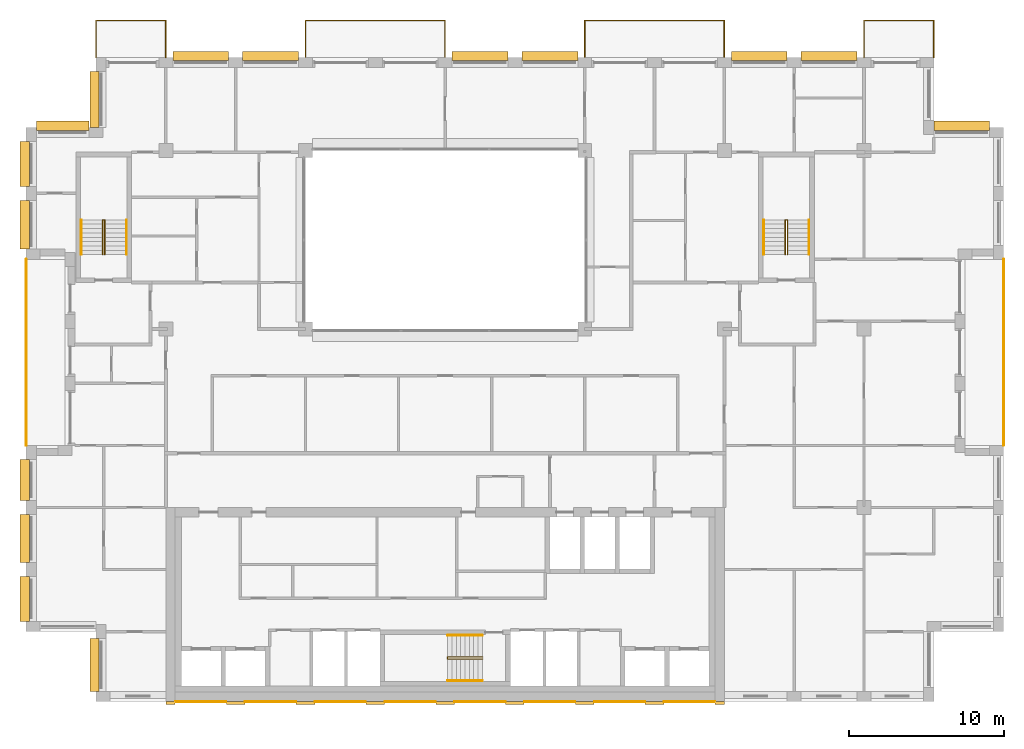
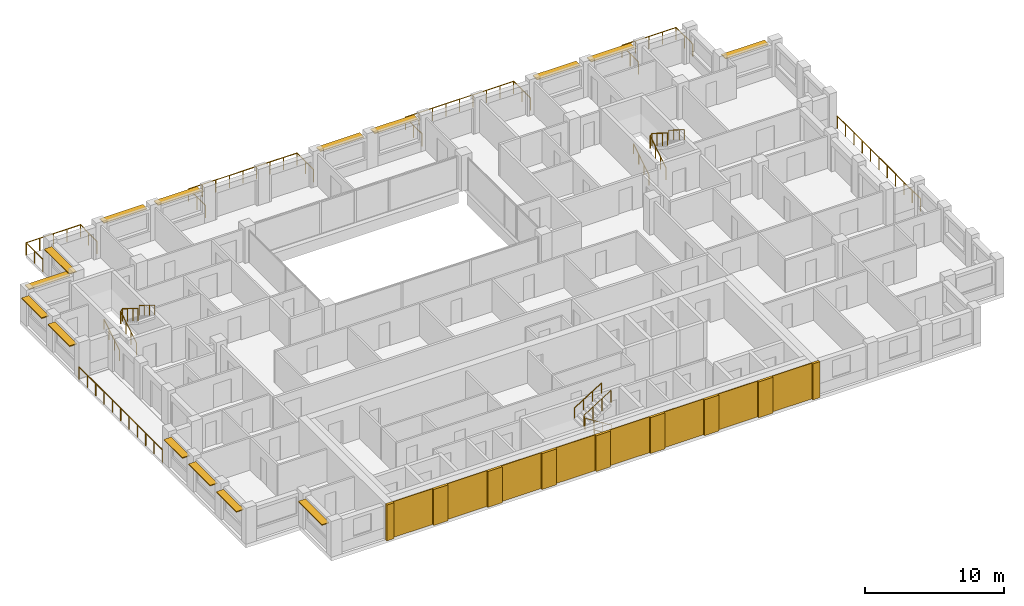
# One storey, part 16 of 16: 17 coverings, 15 railings, 15 shading devices.
"""IFC4 building model written with IfcOpenShell, lengths in metres."""

from ifc_helpers import new_model, si_unit, direction, frame, origin, origin_2d, place, context, subcontext, project, spatial, rectangle, circle, extrude, material, layer, layer_set, type_object, element, save


model = new_model("IFC4")

# Units and contexts
model_context = context("Model", 3, precision=1e-05, world=origin(), true_north=direction((0.0, 1.0)))
body_context = subcontext(model_context, "Body", "Model", "MODEL_VIEW")
ifc_project = project(units=[si_unit("LENGTHUNIT", "METRE"), si_unit("AREAUNIT", "SQUARE_METRE"), si_unit("VOLUMEUNIT", "CUBIC_METRE"), si_unit("PLANEANGLEUNIT", "RADIAN"), si_unit("MASSUNIT", "GRAM", prefix="KILO")], contexts=[model_context])

# Site, building, storey
site_placement = place(None, origin())
site = spatial("IfcSite", under=ifc_project, at=site_placement, CompositionType="ELEMENT")
building_placement = place(site_placement, origin())
building = spatial("IfcBuilding", under=site, at=building_placement, Name="Brigalow Station Residences", CompositionType="ELEMENT")
storey_placement = place(building_placement, frame((0.0, 0.0, 201.14990234375)))
storey = spatial("IfcBuildingStorey", under=building, at=storey_placement, Name="L57", CompositionType="ELEMENT", Elevation=201.14990234375)

# Railings
ifc_material_1 = material(Name="Stainless steel balustrade with laminated glass infill", Category="steel")
railing_type_1 = type_object("IfcRailingType", Name="BALCONY GUARD 1100", PredefinedType="GUARDRAIL", material=ifc_material_1)
railing_1_placement = place(storey_placement, frame((72.0, 16.5, -0.039794921875)))
element("IfcRailing", 1, at=railing_1_placement, inside=storey, type_object=railing_type_1, Name="L57/balcony-guard/1", PredefinedType="GUARDRAIL", context=body_context, shape_type="SweptSolid", body=[
    extrude(circle(Radius=0.02392578125, at=origin_2d()), frame((0.0, 0.0, 1.076171875), z_axis=(0.0, 1.0, 0.0), x_axis=(-1.0, 0.0, 0.0)), (0.0, 0.0, 1.0), 12.0),
    extrude(circle(Radius=0.02099609375, at=origin_2d()), origin(), (0.0, 0.0, 1.0), 1.052001953125),
    extrude(circle(Radius=0.02099609375, at=origin_2d()), frame((0.0, 1.199951171875, 0.0)), (0.0, 0.0, 1.0), 1.052001953125),
    extrude(circle(Radius=0.02099609375, at=origin_2d()), frame((0.0, 2.39990234375, 0.0)), (0.0, 0.0, 1.0), 1.052001953125),
    extrude(circle(Radius=0.02099609375, at=origin_2d()), frame((0.0, 3.60009765625, 0.0)), (0.0, 0.0, 1.0), 1.052001953125),
    extrude(circle(Radius=0.02099609375, at=origin_2d()), frame((0.0, 4.800048828125, 0.0)), (0.0, 0.0, 1.0), 1.052001953125),
    extrude(circle(Radius=0.02099609375, at=origin_2d()), frame((0.0, 6.0, 0.0)), (0.0, 0.0, 1.0), 1.052001953125),
    extrude(circle(Radius=0.02099609375, at=origin_2d()), frame((0.0, 7.199951171875, 0.0)), (0.0, 0.0, 1.0), 1.052001953125),
    extrude(circle(Radius=0.02099609375, at=origin_2d()), frame((0.0, 8.39990234375, 0.0)), (0.0, 0.0, 1.0), 1.052001953125),
    extrude(circle(Radius=0.02099609375, at=origin_2d()), frame((0.0, 9.60009765625, 0.0)), (0.0, 0.0, 1.0), 1.052001953125),
    extrude(circle(Radius=0.02099609375, at=origin_2d()), frame((0.0, 10.800048828125, 0.0)), (0.0, 0.0, 1.0), 1.052001953125),
    extrude(circle(Radius=0.02099609375, at=origin_2d()), frame((0.0, 12.0, 0.0)), (0.0, 0.0, 1.0), 1.052001953125),
])
railing_2_placement = place(storey_placement, frame((67.5, 41.5, -0.039794921875)))
element("IfcRailing", 2, at=railing_2_placement, inside=storey, type_object=railing_type_1, Name="L57/balcony-guard/2", PredefinedType="GUARDRAIL", context=body_context, shape_type="SweptSolid", body=[
    extrude(circle(Radius=0.02392578125, at=origin_2d()), frame((0.0, 0.0, 1.076171875), z_axis=(0.0, 1.0, 0.0), x_axis=(-1.0, 0.0, 0.0)), (0.0, 0.0, 1.0), 2.39990234375),
    extrude(circle(Radius=0.02392578125, at=origin_2d()), frame((0.0, 2.39990234375, 1.076171875), z_axis=(-1.0, 0.0, 0.0), x_axis=(0.0, -1.0, 0.0)), (0.0, 0.0, 1.0), 4.5),
    extrude(circle(Radius=0.02392578125, at=origin_2d()), frame((-4.5, 2.39990234375, 1.076171875), z_axis=(0.0, -1.0, 0.0), x_axis=(1.0, 0.0, 0.0)), (0.0, 0.0, 1.0), 2.39990234375),
    extrude(circle(Radius=0.02099609375, at=origin_2d()), origin(), (0.0, 0.0, 1.0), 1.052001953125),
    extrude(circle(Radius=0.02099609375, at=origin_2d()), frame((0.0, 1.199951171875, 0.0)), (0.0, 0.0, 1.0), 1.052001953125),
    extrude(circle(Radius=0.02099609375, at=origin_2d()), frame((0.0, 2.39990234375, 0.0)), (0.0, 0.0, 1.0), 1.052001953125),
    extrude(circle(Radius=0.02099609375, at=origin_2d()), frame((-1.125, 2.39990234375, 0.0)), (0.0, 0.0, 1.0), 1.052001953125),
    extrude(circle(Radius=0.02099609375, at=origin_2d()), frame((-2.25, 2.39990234375, 0.0)), (0.0, 0.0, 1.0), 1.052001953125),
    extrude(circle(Radius=0.02099609375, at=origin_2d()), frame((-3.375, 2.39990234375, 0.0)), (0.0, 0.0, 1.0), 1.052001953125),
    extrude(circle(Radius=0.02099609375, at=origin_2d()), frame((-4.5, 2.39990234375, 0.0)), (0.0, 0.0, 1.0), 1.052001953125),
    extrude(circle(Radius=0.02099609375, at=origin_2d()), frame((-4.5, 1.199951171875, 0.0)), (0.0, 0.0, 1.0), 1.052001953125),
    extrude(circle(Radius=0.02099609375, at=origin_2d()), frame((-4.5, 0.0, 0.0)), (0.0, 0.0, 1.0), 1.052001953125),
])
railing_3_placement = place(storey_placement, frame((54.0, 41.5, -0.039794921875)))
element("IfcRailing", 3, at=railing_3_placement, inside=storey, type_object=railing_type_1, Name="L57/balcony-guard/3", PredefinedType="GUARDRAIL", context=body_context, shape_type="SweptSolid", body=[
    extrude(circle(Radius=0.02392578125, at=origin_2d()), frame((0.0, 0.0, 1.076171875), z_axis=(0.0, 1.0, 0.0), x_axis=(-1.0, 0.0, 0.0)), (0.0, 0.0, 1.0), 2.39990234375),
    extrude(circle(Radius=0.02392578125, at=origin_2d()), frame((0.0, 2.39990234375, 1.076171875), z_axis=(-1.0, 0.0, 0.0), x_axis=(0.0, -1.0, 0.0)), (0.0, 0.0, 1.0), 9.0),
    extrude(circle(Radius=0.02392578125, at=origin_2d()), frame((-9.0, 2.39990234375, 1.076171875), z_axis=(0.0, -1.0, 0.0), x_axis=(1.0, 0.0, 0.0)), (0.0, 0.0, 1.0), 2.39990234375),
    extrude(circle(Radius=0.02099609375, at=origin_2d()), origin(), (0.0, 0.0, 1.0), 1.052001953125),
    extrude(circle(Radius=0.02099609375, at=origin_2d()), frame((0.0, 1.199951171875, 0.0)), (0.0, 0.0, 1.0), 1.052001953125),
    extrude(circle(Radius=0.02099609375, at=origin_2d()), frame((0.0, 2.39990234375, 0.0)), (0.0, 0.0, 1.0), 1.052001953125),
    extrude(circle(Radius=0.02099609375, at=origin_2d()), frame((-1.125, 2.39990234375, 0.0)), (0.0, 0.0, 1.0), 1.052001953125),
    extrude(circle(Radius=0.02099609375, at=origin_2d()), frame((-2.25, 2.39990234375, 0.0)), (0.0, 0.0, 1.0), 1.052001953125),
    extrude(circle(Radius=0.02099609375, at=origin_2d()), frame((-3.375, 2.39990234375, 0.0)), (0.0, 0.0, 1.0), 1.052001953125),
    extrude(circle(Radius=0.02099609375, at=origin_2d()), frame((-4.5, 2.39990234375, 0.0)), (0.0, 0.0, 1.0), 1.052001953125),
    extrude(circle(Radius=0.02099609375, at=origin_2d()), frame((-5.625, 2.39990234375, 0.0)), (0.0, 0.0, 1.0), 1.052001953125),
    extrude(circle(Radius=0.02099609375, at=origin_2d()), frame((-6.75, 2.39990234375, 0.0)), (0.0, 0.0, 1.0), 1.052001953125),
    extrude(circle(Radius=0.02099609375, at=origin_2d()), frame((-7.875, 2.39990234375, 0.0)), (0.0, 0.0, 1.0), 1.052001953125),
    extrude(circle(Radius=0.02099609375, at=origin_2d()), frame((-9.0, 2.39990234375, 0.0)), (0.0, 0.0, 1.0), 1.052001953125),
    extrude(circle(Radius=0.02099609375, at=origin_2d()), frame((-9.0, 1.199951171875, 0.0)), (0.0, 0.0, 1.0), 1.052001953125),
    extrude(circle(Radius=0.02099609375, at=origin_2d()), frame((-9.0, 0.0, 0.0)), (0.0, 0.0, 1.0), 1.052001953125),
])
railing_4_placement = place(storey_placement, frame((36.0, 41.5, -0.039794921875)))
element("IfcRailing", 4, at=railing_4_placement, inside=storey, type_object=railing_type_1, Name="L57/balcony-guard/4", PredefinedType="GUARDRAIL", context=body_context, shape_type="SweptSolid", body=[
    extrude(circle(Radius=0.02392578125, at=origin_2d()), frame((0.0, 0.0, 1.076171875), z_axis=(0.0, 1.0, 0.0), x_axis=(-1.0, 0.0, 0.0)), (0.0, 0.0, 1.0), 2.39990234375),
    extrude(circle(Radius=0.02392578125, at=origin_2d()), frame((0.0, 2.39990234375, 1.076171875), z_axis=(-1.0, 0.0, 0.0), x_axis=(0.0, -1.0, 0.0)), (0.0, 0.0, 1.0), 9.0),
    extrude(circle(Radius=0.02392578125, at=origin_2d()), frame((-9.0, 2.39990234375, 1.076171875), z_axis=(0.0, -1.0, 0.0), x_axis=(1.0, 0.0, 0.0)), (0.0, 0.0, 1.0), 2.39990234375),
    extrude(circle(Radius=0.02099609375, at=origin_2d()), origin(), (0.0, 0.0, 1.0), 1.052001953125),
    extrude(circle(Radius=0.02099609375, at=origin_2d()), frame((0.0, 1.199951171875, 0.0)), (0.0, 0.0, 1.0), 1.052001953125),
    extrude(circle(Radius=0.02099609375, at=origin_2d()), frame((0.0, 2.39990234375, 0.0)), (0.0, 0.0, 1.0), 1.052001953125),
    extrude(circle(Radius=0.02099609375, at=origin_2d()), frame((-1.125, 2.39990234375, 0.0)), (0.0, 0.0, 1.0), 1.052001953125),
    extrude(circle(Radius=0.02099609375, at=origin_2d()), frame((-2.25, 2.39990234375, 0.0)), (0.0, 0.0, 1.0), 1.052001953125),
    extrude(circle(Radius=0.02099609375, at=origin_2d()), frame((-3.375, 2.39990234375, 0.0)), (0.0, 0.0, 1.0), 1.052001953125),
    extrude(circle(Radius=0.02099609375, at=origin_2d()), frame((-4.5, 2.39990234375, 0.0)), (0.0, 0.0, 1.0), 1.052001953125),
    extrude(circle(Radius=0.02099609375, at=origin_2d()), frame((-5.625, 2.39990234375, 0.0)), (0.0, 0.0, 1.0), 1.052001953125),
    extrude(circle(Radius=0.02099609375, at=origin_2d()), frame((-6.75, 2.39990234375, 0.0)), (0.0, 0.0, 1.0), 1.052001953125),
    extrude(circle(Radius=0.02099609375, at=origin_2d()), frame((-7.875, 2.39990234375, 0.0)), (0.0, 0.0, 1.0), 1.052001953125),
    extrude(circle(Radius=0.02099609375, at=origin_2d()), frame((-9.0, 2.39990234375, 0.0)), (0.0, 0.0, 1.0), 1.052001953125),
    extrude(circle(Radius=0.02099609375, at=origin_2d()), frame((-9.0, 1.199951171875, 0.0)), (0.0, 0.0, 1.0), 1.052001953125),
    extrude(circle(Radius=0.02099609375, at=origin_2d()), frame((-9.0, 0.0, 0.0)), (0.0, 0.0, 1.0), 1.052001953125),
])
railing_5_placement = place(storey_placement, frame((18.0, 41.5, -0.039794921875)))
element("IfcRailing", 5, at=railing_5_placement, inside=storey, type_object=railing_type_1, Name="L57/balcony-guard/5", PredefinedType="GUARDRAIL", context=body_context, shape_type="SweptSolid", body=[
    extrude(circle(Radius=0.02392578125, at=origin_2d()), frame((0.0, 0.0, 1.076171875), z_axis=(0.0, 1.0, 0.0), x_axis=(-1.0, 0.0, 0.0)), (0.0, 0.0, 1.0), 2.39990234375),
    extrude(circle(Radius=0.02392578125, at=origin_2d()), frame((0.0, 2.39990234375, 1.076171875), z_axis=(-1.0, 0.0, 0.0), x_axis=(0.0, -1.0, 0.0)), (0.0, 0.0, 1.0), 4.5),
    extrude(circle(Radius=0.02392578125, at=origin_2d()), frame((-4.5, 2.39990234375, 1.076171875), z_axis=(0.0, -1.0, 0.0), x_axis=(1.0, 0.0, 0.0)), (0.0, 0.0, 1.0), 2.39990234375),
    extrude(circle(Radius=0.02099609375, at=origin_2d()), origin(), (0.0, 0.0, 1.0), 1.052001953125),
    extrude(circle(Radius=0.02099609375, at=origin_2d()), frame((0.0, 1.199951171875, 0.0)), (0.0, 0.0, 1.0), 1.052001953125),
    extrude(circle(Radius=0.02099609375, at=origin_2d()), frame((0.0, 2.39990234375, 0.0)), (0.0, 0.0, 1.0), 1.052001953125),
    extrude(circle(Radius=0.02099609375, at=origin_2d()), frame((-1.125, 2.39990234375, 0.0)), (0.0, 0.0, 1.0), 1.052001953125),
    extrude(circle(Radius=0.02099609375, at=origin_2d()), frame((-2.25, 2.39990234375, 0.0)), (0.0, 0.0, 1.0), 1.052001953125),
    extrude(circle(Radius=0.02099609375, at=origin_2d()), frame((-3.375, 2.39990234375, 0.0)), (0.0, 0.0, 1.0), 1.052001953125),
    extrude(circle(Radius=0.02099609375, at=origin_2d()), frame((-4.5, 2.39990234375, 0.0)), (0.0, 0.0, 1.0), 1.052001953125),
    extrude(circle(Radius=0.02099609375, at=origin_2d()), frame((-4.5, 1.199951171875, 0.0)), (0.0, 0.0, 1.0), 1.052001953125),
    extrude(circle(Radius=0.02099609375, at=origin_2d()), frame((-4.5, 0.0, 0.0)), (0.0, 0.0, 1.0), 1.052001953125),
])
railing_6_placement = place(storey_placement, frame((9.0, 28.5, -0.039794921875)))
element("IfcRailing", 6, at=railing_6_placement, inside=storey, type_object=railing_type_1, Name="L57/balcony-guard/6", PredefinedType="GUARDRAIL", context=body_context, shape_type="SweptSolid", body=[
    extrude(circle(Radius=0.02392578125, at=origin_2d()), frame((0.0, 0.0, 1.076171875), z_axis=(0.0, -1.0, 0.0), x_axis=(1.0, 0.0, 0.0)), (0.0, 0.0, 1.0), 12.0),
    extrude(circle(Radius=0.02099609375, at=origin_2d()), origin(), (0.0, 0.0, 1.0), 1.052001953125),
    extrude(circle(Radius=0.02099609375, at=origin_2d()), frame((0.0, -1.199951171875, 0.0)), (0.0, 0.0, 1.0), 1.052001953125),
    extrude(circle(Radius=0.02099609375, at=origin_2d()), frame((0.0, -2.39990234375, 0.0)), (0.0, 0.0, 1.0), 1.052001953125),
    extrude(circle(Radius=0.02099609375, at=origin_2d()), frame((0.0, -3.60009765625, 0.0)), (0.0, 0.0, 1.0), 1.052001953125),
    extrude(circle(Radius=0.02099609375, at=origin_2d()), frame((0.0, -4.800048828125, 0.0)), (0.0, 0.0, 1.0), 1.052001953125),
    extrude(circle(Radius=0.02099609375, at=origin_2d()), frame((0.0, -6.0, 0.0)), (0.0, 0.0, 1.0), 1.052001953125),
    extrude(circle(Radius=0.02099609375, at=origin_2d()), frame((0.0, -7.199951171875, 0.0)), (0.0, 0.0, 1.0), 1.052001953125),
    extrude(circle(Radius=0.02099609375, at=origin_2d()), frame((0.0, -8.39990234375, 0.0)), (0.0, 0.0, 1.0), 1.052001953125),
    extrude(circle(Radius=0.02099609375, at=origin_2d()), frame((0.0, -9.60009765625, 0.0)), (0.0, 0.0, 1.0), 1.052001953125),
    extrude(circle(Radius=0.02099609375, at=origin_2d()), frame((0.0, -10.800048828125, 0.0)), (0.0, 0.0, 1.0), 1.052001953125),
    extrude(circle(Radius=0.02099609375, at=origin_2d()), frame((0.0, -12.0, 0.0)), (0.0, 0.0, 1.0), 1.052001953125),
])

# Coverings
ifc_material_2 = material(Name="Clay brick masonry", Category="masonry")
ifc_layer_1 = layer(ifc_material_2, 0.06005859375)
ifc_layer_set_1 = layer_set([ifc_layer_1], Name="BRICK PANEL FACING 60")
covering_type_1 = type_object("IfcCoveringType", Name="BRICK PANEL FACING 60", PredefinedType="CLADDING", material=ifc_layer_set_1)
for number, where, z_axis, x_axis, name in (
    (7, (20.25, -0.030029296875, 0.000244140625), (0.0, 0.0, 1.0), (1.0, 0.0, 0.0), "L57/rear-facing/panel-1"),
    (8, (24.75, -0.030029296875, 0.000244140625), (0.0, 0.0, 1.0), (1.0, 0.0, 0.0), "L57/rear-facing/panel-2"),
    (9, (29.25, -0.030029296875, 0.000244140625), (0.0, 0.0, 1.0), (1.0, 0.0, 0.0), "L57/rear-facing/panel-3"),
    (10, (33.75, -0.030029296875, 0.000244140625), (0.0, 0.0, 1.0), (1.0, 0.0, 0.0), "L57/rear-facing/panel-4"),
    (11, (38.25, -0.030029296875, 0.000244140625), (0.0, 0.0, 1.0), (1.0, 0.0, 0.0), "L57/rear-facing/panel-5"),
    (12, (42.75, -0.030029296875, 0.000244140625), (0.0, 0.0, 1.0), (1.0, 0.0, 0.0), "L57/rear-facing/panel-6"),
    (13, (47.25, -0.030029296875, 0.000244140625), (0.0, 0.0, 1.0), (1.0, 0.0, 0.0), "L57/rear-facing/panel-7"),
    (14, (51.75, -0.030029296875, 0.000244140625), (0.0, 0.0, 1.0), (1.0, 0.0, 0.0), "L57/rear-facing/panel-8"),
):
    element("IfcCovering", number, at=place(storey_placement, frame(where, z_axis=z_axis, x_axis=x_axis)), inside=storey, type_object=covering_type_1, Name=name, PredefinedType="CLADDING", context=body_context, shape_type="SweptSolid", body=[
        extrude(rectangle(XDim=3.300048828125, YDim=0.06005859375, at=origin_2d()), origin(), (0.0, 0.0, 1.0), 3.14990234375),
    ])
ifc_material_3 = material(Name="Clay brick masonry", Category="masonry")
ifc_layer_2 = layer(ifc_material_3, 0.199951171875)
ifc_layer_set_2 = layer_set([ifc_layer_2], Name="BRICK PIER FACING 200")
covering_type_2 = type_object("IfcCoveringType", Name="BRICK PIER FACING 200", PredefinedType="CLADDING", material=ifc_layer_set_2)
covering_1_placement = place(storey_placement, frame((18.300048828125, -0.10009765625, 0.000244140625), z_axis=(0.0, 0.0, 1.0), x_axis=(1.0, 0.0, 0.0)))
element("IfcCovering", 15, at=covering_1_placement, inside=storey, type_object=covering_type_2, Name="L57/rear-facing/pier-1", PredefinedType="CLADDING", context=body_context, shape_type="SweptSolid", body=[
    extrude(rectangle(XDim=0.60009765625, YDim=0.199951171875, at=origin_2d()), origin(), (0.0, 0.0, 1.0), 3.14990234375),
])
for number, where, z_axis, x_axis, name in (
    (16, (22.5, -0.10009765625, 0.000244140625), (0.0, 0.0, 1.0), (1.0, 0.0, 0.0), "L57/rear-facing/pier-2"),
    (17, (27.0, -0.10009765625, 0.000244140625), (0.0, 0.0, 1.0), (1.0, 0.0, 0.0), "L57/rear-facing/pier-3"),
    (18, (31.5, -0.10009765625, 0.000244140625), (0.0, 0.0, 1.0), (1.0, 0.0, 0.0), "L57/rear-facing/pier-4"),
    (19, (36.0, -0.10009765625, 0.000244140625), (0.0, 0.0, 1.0), (1.0, 0.0, 0.0), "L57/rear-facing/pier-5"),
    (20, (40.5, -0.10009765625, 0.000244140625), (0.0, 0.0, 1.0), (1.0, 0.0, 0.0), "L57/rear-facing/pier-6"),
    (21, (45.0, -0.10009765625, 0.000244140625), (0.0, 0.0, 1.0), (1.0, 0.0, 0.0), "L57/rear-facing/pier-7"),
    (22, (49.5, -0.10009765625, 0.000244140625), (0.0, 0.0, 1.0), (1.0, 0.0, 0.0), "L57/rear-facing/pier-8"),
):
    element("IfcCovering", number, at=place(storey_placement, frame(where, z_axis=z_axis, x_axis=x_axis)), inside=storey, type_object=covering_type_2, Name=name, PredefinedType="CLADDING", context=body_context, shape_type="SweptSolid", body=[
        extrude(rectangle(XDim=1.199951171875, YDim=0.199951171875, at=origin_2d()), origin(), (0.0, 0.0, 1.0), 3.14990234375),
    ])
covering_2_placement = place(storey_placement, frame((53.699951171875, -0.10009765625, 0.000244140625), z_axis=(0.0, 0.0, 1.0), x_axis=(1.0, 0.0, 0.0)))
element("IfcCovering", 23, at=covering_2_placement, inside=storey, type_object=covering_type_2, Name="L57/rear-facing/pier-9", PredefinedType="CLADDING", context=body_context, shape_type="SweptSolid", body=[
    extrude(rectangle(XDim=0.60009765625, YDim=0.199951171875, at=origin_2d()), origin(), (0.0, 0.0, 1.0), 3.14990234375),
])

# Railings
ifc_material_4 = material(Name="Stainless steel balustrade", Category="steel")
railing_type_2 = type_object("IfcRailingType", Name="STAIR GUARD 1100", PredefinedType="GUARDRAIL", material=ifc_material_4)
railing_7_placement = place(storey_placement, frame((38.39990234375, 2.72998046875, 0.175048828125)))
element("IfcRailing", 24, at=railing_7_placement, inside=storey, type_object=railing_type_2, Name="GUARD GR-2", PredefinedType="GUARDRAIL", context=body_context, shape_type="SweptSolid", body=[
    extrude(circle(Radius=0.02392578125, at=origin_2d()), frame((0.0, 0.0, 1.076171875), z_axis=(-0.847972341737, 0.0, 0.530040477369), x_axis=(0.0, -1.0, 0.0)), (0.0, 0.0, 1.0), 2.6416015625),
    extrude(circle(Radius=0.02392578125, at=origin_2d()), frame((-2.239990234375, 0.0, 2.47607421875), z_axis=(0.0, 0.62549206879, 0.780230524833), x_axis=(-1.0, 0.0, 0.0)), (0.0, 0.0, 1.0), 0.22412109375),
    extrude(circle(Radius=0.02392578125, at=origin_2d()), frame((-2.239990234375, 0.14013671875, 2.65087890625), z_axis=(0.847972341737, 0.0, 0.530040477369), x_axis=(0.0, 1.0, 0.0)), (0.0, 0.0, 1.0), 2.6416015625),
    extrude(circle(Radius=0.02099609375, at=origin_2d()), origin(), (0.0, 0.0, 1.0), 1.052001953125),
    extrude(circle(Radius=0.02099609375, at=origin_2d()), frame((-0.74658203125, 0.0, 0.466796875)), (0.0, 0.0, 1.0), 1.052001953125),
    extrude(circle(Radius=0.02099609375, at=origin_2d()), frame((-1.493408203125, 0.0, 0.933349609375)), (0.0, 0.0, 1.0), 1.052001953125),
    extrude(circle(Radius=0.02099609375, at=origin_2d()), frame((-2.239990234375, 0.0, 1.400146484375)), (0.0, 0.0, 1.0), 1.052001953125),
    extrude(circle(Radius=0.02099609375, at=origin_2d()), frame((-2.239990234375, 0.14013671875, 1.574951171875)), (0.0, 0.0, 1.0), 1.052001953125),
    extrude(circle(Radius=0.02099609375, at=origin_2d()), frame((-1.493408203125, 0.14013671875, 2.041748046875)), (0.0, 0.0, 1.0), 1.052001953125),
    extrude(circle(Radius=0.02099609375, at=origin_2d()), frame((-0.74658203125, 0.14013671875, 2.50830078125)), (0.0, 0.0, 1.0), 1.052001953125),
    extrude(circle(Radius=0.02099609375, at=origin_2d()), frame((0.0, 0.14013671875, 2.97509765625)), (0.0, 0.0, 1.0), 1.052001953125),
])
for number, where, name in (
    (25, (13.929931640625, 28.800048828125, 0.175048828125), "GUARD GR-1"),
    (26, (57.929931640625, 28.800048828125, 0.175048828125), "GUARD GR-3"),
):
    element("IfcRailing", number, at=place(storey_placement, frame(where)), inside=storey, type_object=railing_type_2, Name=name, PredefinedType="GUARDRAIL", context=body_context, shape_type="SweptSolid", body=[
        extrude(circle(Radius=0.02392578125, at=origin_2d()), frame((0.0, 0.0, 1.076171875), z_axis=(0.0, 0.847972341737, 0.530040477369), x_axis=(-1.0, 0.0, 0.0)), (0.0, 0.0, 1.0), 2.6416015625),
        extrude(circle(Radius=0.02392578125, at=origin_2d()), frame((0.0, 2.239990234375, 2.47607421875), z_axis=(0.62549206879, 0.0, 0.780230524833), x_axis=(0.0, 1.0, 0.0)), (0.0, 0.0, 1.0), 0.22412109375),
        extrude(circle(Radius=0.02392578125, at=origin_2d()), frame((0.14013671875, 2.239990234375, 2.65087890625), z_axis=(0.0, -0.847972341737, 0.530040477369), x_axis=(1.0, 0.0, 0.0)), (0.0, 0.0, 1.0), 2.6416015625),
        extrude(circle(Radius=0.02099609375, at=origin_2d()), origin(), (0.0, 0.0, 1.0), 1.052001953125),
        extrude(circle(Radius=0.02099609375, at=origin_2d()), frame((0.0, 0.74658203125, 0.466796875)), (0.0, 0.0, 1.0), 1.052001953125),
        extrude(circle(Radius=0.02099609375, at=origin_2d()), frame((0.0, 1.493408203125, 0.933349609375)), (0.0, 0.0, 1.0), 1.052001953125),
        extrude(circle(Radius=0.02099609375, at=origin_2d()), frame((0.0, 2.239990234375, 1.400146484375)), (0.0, 0.0, 1.0), 1.052001953125),
        extrude(circle(Radius=0.02099609375, at=origin_2d()), frame((0.14013671875, 2.239990234375, 1.574951171875)), (0.0, 0.0, 1.0), 1.052001953125),
        extrude(circle(Radius=0.02099609375, at=origin_2d()), frame((0.14013671875, 1.493408203125, 2.041748046875)), (0.0, 0.0, 1.0), 1.052001953125),
        extrude(circle(Radius=0.02099609375, at=origin_2d()), frame((0.14013671875, 0.74658203125, 2.50830078125)), (0.0, 0.0, 1.0), 1.052001953125),
        extrude(circle(Radius=0.02099609375, at=origin_2d()), frame((0.14013671875, 0.0, 2.97509765625)), (0.0, 0.0, 1.0), 1.052001953125),
    ])
ifc_material_5 = material(Name="Stainless steel handrail", Category="steel")
railing_type_3 = type_object("IfcRailingType", Name="STAIR HANDRAIL 900", PredefinedType="HANDRAIL", material=ifc_material_5)
railing_8_placement = place(storey_placement, frame((38.39990234375, 1.340087890625, 0.175048828125)))
element("IfcRailing", 27, at=railing_8_placement, inside=storey, type_object=railing_type_3, Name="HANDRAIL HR-21", PredefinedType="HANDRAIL", context=body_context, shape_type="SweptSolid", body=[
    extrude(circle(Radius=0.02392578125, at=origin_2d()), frame((0.0, 0.0, 0.8759765625), z_axis=(-0.847972341737, 0.0, 0.530040477369), x_axis=(0.0, -1.0, 0.0)), (0.0, 0.0, 1.0), 2.6416015625),
    extrude(circle(Radius=0.02099609375, at=origin_2d()), origin(), (0.0, 0.0, 1.0), 0.851806640625),
    extrude(circle(Radius=0.02099609375, at=origin_2d()), frame((-0.74658203125, 0.0, 0.466796875)), (0.0, 0.0, 1.0), 0.851806640625),
    extrude(circle(Radius=0.02099609375, at=origin_2d()), frame((-1.493408203125, 0.0, 0.933349609375)), (0.0, 0.0, 1.0), 0.851806640625),
    extrude(circle(Radius=0.02099609375, at=origin_2d()), frame((-2.239990234375, 0.0, 1.400146484375)), (0.0, 0.0, 1.0), 0.851806640625),
])
railing_9_placement = place(storey_placement, frame((36.159912109375, 4.260009765625, 1.75)))
element("IfcRailing", 28, at=railing_9_placement, inside=storey, type_object=railing_type_3, Name="HANDRAIL HR-22", PredefinedType="HANDRAIL", context=body_context, shape_type="SweptSolid", body=[
    extrude(circle(Radius=0.02392578125, at=origin_2d()), frame((0.0, 0.0, 0.8759765625), z_axis=(0.847972341737, 0.0, 0.530040477369), x_axis=(0.0, 1.0, 0.0)), (0.0, 0.0, 1.0), 2.6416015625),
    extrude(circle(Radius=0.02099609375, at=origin_2d()), origin(), (0.0, 0.0, 1.0), 0.851806640625),
    extrude(circle(Radius=0.02099609375, at=origin_2d()), frame((0.74658203125, 0.0, 0.466796875)), (0.0, 0.0, 1.0), 0.851806640625),
    extrude(circle(Radius=0.02099609375, at=origin_2d()), frame((1.493408203125, 0.0, 0.933349609375)), (0.0, 0.0, 1.0), 0.851806640625),
    extrude(circle(Radius=0.02099609375, at=origin_2d()), frame((2.239990234375, 0.0, 1.400146484375)), (0.0, 0.0, 1.0), 0.851806640625),
])
railing_10_placement = place(storey_placement, frame((12.5400390625, 28.800048828125, 0.175048828125)))
element("IfcRailing", 29, at=railing_10_placement, inside=storey, type_object=railing_type_3, Name="HANDRAIL HR-11", PredefinedType="HANDRAIL", context=body_context, shape_type="SweptSolid", body=[
    extrude(circle(Radius=0.02392578125, at=origin_2d()), frame((0.0, 0.0, 0.8759765625), z_axis=(0.0, 0.847972341737, 0.530040477369), x_axis=(-1.0, 0.0, 0.0)), (0.0, 0.0, 1.0), 2.6416015625),
    extrude(circle(Radius=0.02099609375, at=origin_2d()), origin(), (0.0, 0.0, 1.0), 0.851806640625),
    extrude(circle(Radius=0.02099609375, at=origin_2d()), frame((0.0, 0.74658203125, 0.466796875)), (0.0, 0.0, 1.0), 0.851806640625),
    extrude(circle(Radius=0.02099609375, at=origin_2d()), frame((0.0, 1.493408203125, 0.933349609375)), (0.0, 0.0, 1.0), 0.851806640625),
    extrude(circle(Radius=0.02099609375, at=origin_2d()), frame((0.0, 2.239990234375, 1.400146484375)), (0.0, 0.0, 1.0), 0.851806640625),
])
railing_11_placement = place(storey_placement, frame((15.4599609375, 31.0400390625, 1.75)))
element("IfcRailing", 30, at=railing_11_placement, inside=storey, type_object=railing_type_3, Name="HANDRAIL HR-12", PredefinedType="HANDRAIL", context=body_context, shape_type="SweptSolid", body=[
    extrude(circle(Radius=0.02392578125, at=origin_2d()), frame((0.0, 0.0, 0.8759765625), z_axis=(0.0, -0.847972341737, 0.530040477369), x_axis=(1.0, 0.0, 0.0)), (0.0, 0.0, 1.0), 2.6416015625),
    extrude(circle(Radius=0.02099609375, at=origin_2d()), origin(), (0.0, 0.0, 1.0), 0.851806640625),
    extrude(circle(Radius=0.02099609375, at=origin_2d()), frame((0.0, -0.74658203125, 0.466796875)), (0.0, 0.0, 1.0), 0.851806640625),
    extrude(circle(Radius=0.02099609375, at=origin_2d()), frame((0.0, -1.493408203125, 0.933349609375)), (0.0, 0.0, 1.0), 0.851806640625),
    extrude(circle(Radius=0.02099609375, at=origin_2d()), frame((0.0, -2.239990234375, 1.400146484375)), (0.0, 0.0, 1.0), 0.851806640625),
])
railing_12_placement = place(storey_placement, frame((56.5400390625, 28.800048828125, 0.175048828125)))
element("IfcRailing", 31, at=railing_12_placement, inside=storey, type_object=railing_type_3, Name="HANDRAIL HR-31", PredefinedType="HANDRAIL", context=body_context, shape_type="SweptSolid", body=[
    extrude(circle(Radius=0.02392578125, at=origin_2d()), frame((0.0, 0.0, 0.8759765625), z_axis=(0.0, 0.847972341737, 0.530040477369), x_axis=(-1.0, 0.0, 0.0)), (0.0, 0.0, 1.0), 2.6416015625),
    extrude(circle(Radius=0.02099609375, at=origin_2d()), origin(), (0.0, 0.0, 1.0), 0.851806640625),
    extrude(circle(Radius=0.02099609375, at=origin_2d()), frame((0.0, 0.74658203125, 0.466796875)), (0.0, 0.0, 1.0), 0.851806640625),
    extrude(circle(Radius=0.02099609375, at=origin_2d()), frame((0.0, 1.493408203125, 0.933349609375)), (0.0, 0.0, 1.0), 0.851806640625),
    extrude(circle(Radius=0.02099609375, at=origin_2d()), frame((0.0, 2.239990234375, 1.400146484375)), (0.0, 0.0, 1.0), 0.851806640625),
])
railing_13_placement = place(storey_placement, frame((59.4599609375, 31.0400390625, 1.75)))
element("IfcRailing", 32, at=railing_13_placement, inside=storey, type_object=railing_type_3, Name="HANDRAIL HR-32", PredefinedType="HANDRAIL", context=body_context, shape_type="SweptSolid", body=[
    extrude(circle(Radius=0.02392578125, at=origin_2d()), frame((0.0, 0.0, 0.8759765625), z_axis=(0.0, -0.847972341737, 0.530040477369), x_axis=(1.0, 0.0, 0.0)), (0.0, 0.0, 1.0), 2.6416015625),
    extrude(circle(Radius=0.02099609375, at=origin_2d()), origin(), (0.0, 0.0, 1.0), 0.851806640625),
    extrude(circle(Radius=0.02099609375, at=origin_2d()), frame((0.0, -0.74658203125, 0.466796875)), (0.0, 0.0, 1.0), 0.851806640625),
    extrude(circle(Radius=0.02099609375, at=origin_2d()), frame((0.0, -1.493408203125, 0.933349609375)), (0.0, 0.0, 1.0), 0.851806640625),
    extrude(circle(Radius=0.02099609375, at=origin_2d()), frame((0.0, -2.239990234375, 1.400146484375)), (0.0, 0.0, 1.0), 0.851806640625),
])

# Shading devices
ifc_material_6 = material(Name="Powder-coated extruded aluminium blade", Category="aluminium")
ifc_layer_3 = layer(ifc_material_6, 0.080078125)
ifc_layer_set_3 = layer_set([ifc_layer_3], Name="SUNSHADE BLADE 600x80")
shading_device_type = type_object("IfcShadingDeviceType", Name="SUNSHADE BLADE 600x80", PredefinedType="JALOUSIE", material=ifc_layer_set_3)
for number, where, z_axis, x_axis, name in (
    (33, (69.300048828125, 37.10009765625, 2.550048828125), (0.0, 0.0, 1.0), (-1.0, 0.0, 0.0), "L57/blade/W-L57-18"),
    (34, (60.75, 41.60009765625, 2.550048828125), (0.0, 0.0, 1.0), (-1.0, 0.0, 0.0), "L57/blade/W-L57-21"),
    (35, (56.25, 41.60009765625, 2.550048828125), (0.0, 0.0, 1.0), (-1.0, 0.0, 0.0), "L57/blade/W-L57-22"),
    (36, (42.75, 41.60009765625, 2.550048828125), (0.0, 0.0, 1.0), (-1.0, 0.0, 0.0), "L57/blade/W-L57-25"),
    (37, (38.25, 41.60009765625, 2.550048828125), (0.0, 0.0, 1.0), (-1.0, 0.0, 0.0), "L57/blade/W-L57-26"),
    (38, (24.75, 41.60009765625, 2.550048828125), (0.0, 0.0, 1.0), (-1.0, 0.0, 0.0), "L57/blade/W-L57-29"),
    (39, (20.25, 41.60009765625, 2.550048828125), (0.0, 0.0, 1.0), (-1.0, 0.0, 0.0), "L57/blade/W-L57-30"),
    (40, (13.39990234375, 38.800048828125, 2.550048828125), (0.0, 0.0, 1.0), (0.0, -1.0, 0.0), "L57/blade/W-L57-32"),
):
    element("IfcShadingDevice", number, at=place(storey_placement, frame(where, z_axis=z_axis, x_axis=x_axis)), inside=storey, type_object=shading_device_type, Name=name, PredefinedType="JALOUSIE", context=body_context, shape_type="SweptSolid", body=[
        extrude(rectangle(XDim=3.60009765625, YDim=0.60009765625, at=origin_2d()), origin(), (0.0, 0.0, 1.0), 0.080078125),
    ])
shading_device_1_placement = place(storey_placement, frame((11.35009765625, 37.10009765625, 2.550048828125), z_axis=(0.0, 0.0, 1.0), x_axis=(-1.0, 0.0, 0.0)))
element("IfcShadingDevice", 41, at=shading_device_1_placement, inside=storey, type_object=shading_device_type, Name="L57/blade/W-L57-33", PredefinedType="JALOUSIE", context=body_context, shape_type="SweptSolid", body=[
    extrude(rectangle(XDim=3.39990234375, YDim=0.60009765625, at=origin_2d()), origin(), (0.0, 0.0, 1.0), 0.080078125),
])
shading_device_2_placement = place(storey_placement, frame((8.89990234375, 34.64990234375, 2.550048828125), z_axis=(0.0, 0.0, 1.0), x_axis=(0.0, -1.0, 0.0)))
element("IfcShadingDevice", 42, at=shading_device_2_placement, inside=storey, type_object=shading_device_type, Name="L57/blade/W-L57-34", PredefinedType="JALOUSIE", context=body_context, shape_type="SweptSolid", body=[
    extrude(rectangle(XDim=2.89990234375, YDim=0.60009765625, at=origin_2d()), origin(), (0.0, 0.0, 1.0), 0.080078125),
])
shading_device_3_placement = place(storey_placement, frame((8.89990234375, 30.72509765625, 2.550048828125), z_axis=(0.0, 0.0, 1.0), x_axis=(0.0, -1.0, 0.0)))
element("IfcShadingDevice", 43, at=shading_device_3_placement, inside=storey, type_object=shading_device_type, Name="L57/blade/W-L57-35", PredefinedType="JALOUSIE", context=body_context, shape_type="SweptSolid", body=[
    extrude(rectangle(XDim=3.14990234375, YDim=0.60009765625, at=origin_2d()), origin(), (0.0, 0.0, 1.0), 0.080078125),
])
shading_device_4_placement = place(storey_placement, frame((8.89990234375, 14.27490234375, 2.550048828125), z_axis=(0.0, 0.0, 1.0), x_axis=(0.0, -1.0, 0.0)))
element("IfcShadingDevice", 44, at=shading_device_4_placement, inside=storey, type_object=shading_device_type, Name="L57/blade/W-L57-41", PredefinedType="JALOUSIE", context=body_context, shape_type="SweptSolid", body=[
    extrude(rectangle(XDim=2.64990234375, YDim=0.60009765625, at=origin_2d()), origin(), (0.0, 0.0, 1.0), 0.080078125),
])
shading_device_5_placement = place(storey_placement, frame((8.89990234375, 10.5, 2.550048828125), z_axis=(0.0, 0.0, 1.0), x_axis=(0.0, -1.0, 0.0)))
element("IfcShadingDevice", 45, at=shading_device_5_placement, inside=storey, type_object=shading_device_type, Name="L57/blade/W-L57-42", PredefinedType="JALOUSIE", context=body_context, shape_type="SweptSolid", body=[
    extrude(rectangle(XDim=3.10009765625, YDim=0.60009765625, at=origin_2d()), origin(), (0.0, 0.0, 1.0), 0.080078125),
])
shading_device_6_placement = place(storey_placement, frame((8.89990234375, 6.60009765625, 2.550048828125), z_axis=(0.0, 0.0, 1.0), x_axis=(0.0, -1.0, 0.0)))
element("IfcShadingDevice", 46, at=shading_device_6_placement, inside=storey, type_object=shading_device_type, Name="L57/blade/W-L57-43", PredefinedType="JALOUSIE", context=body_context, shape_type="SweptSolid", body=[
    extrude(rectangle(XDim=2.89990234375, YDim=0.60009765625, at=origin_2d()), origin(), (0.0, 0.0, 1.0), 0.080078125),
])
shading_device_7_placement = place(storey_placement, frame((13.39990234375, 2.35009765625, 2.550048828125), z_axis=(0.0, 0.0, 1.0), x_axis=(0.0, -1.0, 0.0)))
element("IfcShadingDevice", 47, at=shading_device_7_placement, inside=storey, type_object=shading_device_type, Name="L57/blade/W-L57-45", PredefinedType="JALOUSIE", context=body_context, shape_type="SweptSolid", body=[
    extrude(rectangle(XDim=3.39990234375, YDim=0.60009765625, at=origin_2d()), origin(), (0.0, 0.0, 1.0), 0.080078125),
])

save(model, "model.ifc")
